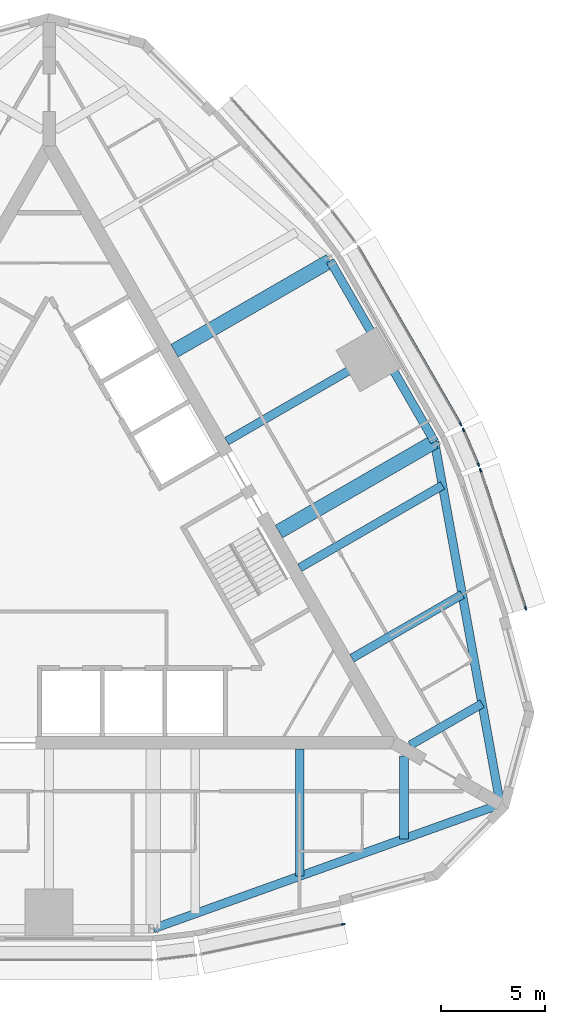
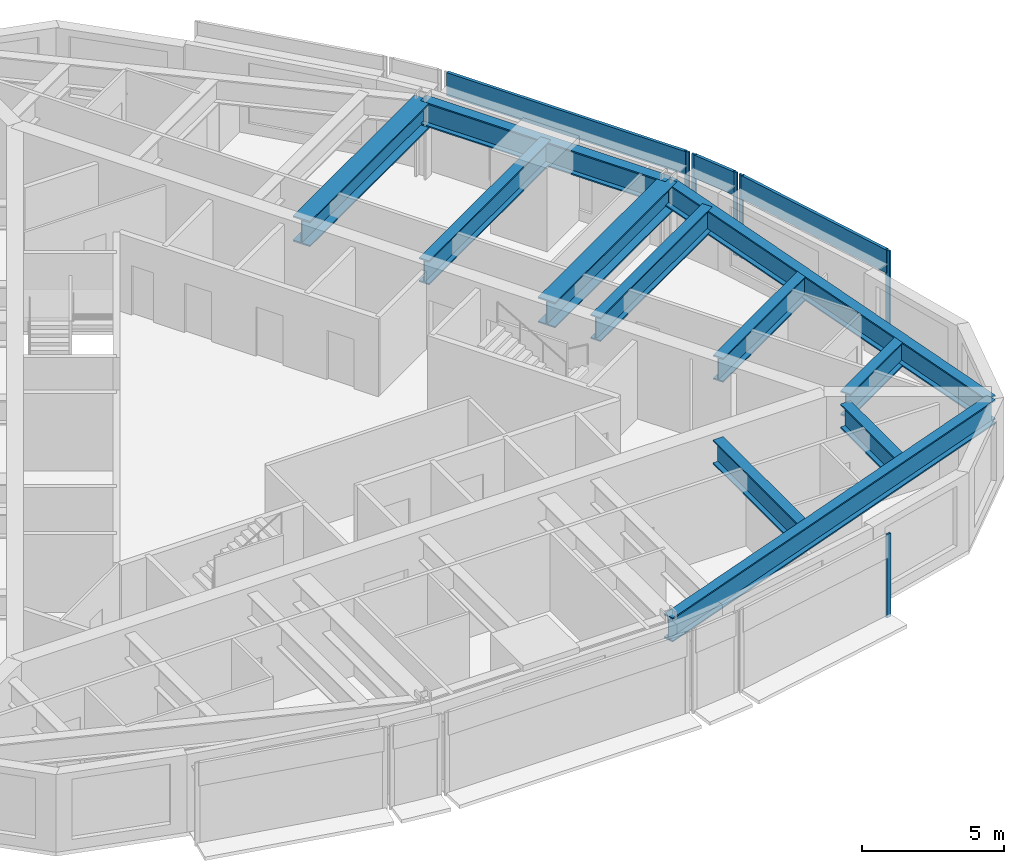
# One storey, part 4 of 12: 11 beams, 9 members, 4 elements without a shape of their own.
"""IFC4 building model written with IfcOpenShell, lengths in metres."""

from ifc_helpers import new_model, si_unit, direction, frame, origin, origin_2d, place, context, subcontext, project, spatial, rectangle, i_section, extrude, material, material_profile, profile_set, type_object, element, aggregate, save


model = new_model("IFC4")

# Units and contexts
model_context = context("Model", 3, precision=1e-05, world=origin(), true_north=direction((0.0, 1.0)))
body_context = subcontext(model_context, "Body", "Model", "MODEL_VIEW")
ifc_project = project(units=[si_unit("LENGTHUNIT", "METRE"), si_unit("AREAUNIT", "SQUARE_METRE"), si_unit("VOLUMEUNIT", "CUBIC_METRE"), si_unit("PLANEANGLEUNIT", "RADIAN"), si_unit("MASSUNIT", "GRAM", prefix="KILO")], contexts=[model_context])

# Site, building, storey
site_placement = place(None, origin())
site = spatial("IfcSite", under=ifc_project, at=site_placement, CompositionType="ELEMENT")
building_placement = place(site_placement, origin())
building = spatial("IfcBuilding", under=site, at=building_placement, Name="Trikona Tower", CompositionType="ELEMENT")
storey_placement = place(building_placement, frame((0.0, 0.0, 271.699951171875)))
storey = spatial("IfcBuildingStorey", under=building, at=storey_placement, Name="L72", CompositionType="ELEMENT", Elevation=271.699951171875)

# Curtain wall, member
ifc_material_1 = material(Name="Aluminium curtain wall system", Category="aluminium")
curtain_wall_type = type_object("IfcCurtainWallType", Name="Curtain wall DS3S", PredefinedType="NOTDEFINED", material=ifc_material_1)
curtain_wall_1_placement = place(storey_placement, origin())
curtain_wall_1 = element("IfcCurtainWall", 1, at=curtain_wall_1_placement, inside=storey, type_object=curtain_wall_type, Name="Curtain wall DS3S L72", PredefinedType="NOTDEFINED")
ifc_material_2 = material(Name="Aluminium mullion, pale anodised", Category="aluminium")
ifc_material_profile_1 = material_profile(ifc_material_2, rectangle(XDim=0.070068359375, YDim=0.179931640625, at=origin_2d()), Name="MUL-DS3S")
ifc_profile_set_1 = profile_set([ifc_material_profile_1], Name="Aluminium mullion, pale anodised")
member_type_1 = type_object("IfcMemberType", Name="Mullion DS3S 70x180", PredefinedType="MULLION", material=ifc_profile_set_1)
member_1_placement = place(storey_placement, frame((14.092041015625, -18.220703125, 0.0), z_axis=(0.0, 0.0, 1.0), x_axis=(-0.205527448396, 0.978651351583, 0.0)))
member_1 = element("IfcMember", 2, at=member_1_placement, type_object=member_type_1, Name="CW-DS3S mullion 2", PredefinedType="MULLION", context=body_context, shape_type="SweptSolid", body=[
    extrude(rectangle(XDim=0.070068359375, YDim=0.179931640625, at=origin_2d()), origin(), (0.0, 0.0, 1.0), 3.60009765625),
])
aggregate(curtain_wall_1, [member_1])

# Curtain wall, members
curtain_wall_2_placement = place(storey_placement, origin())
curtain_wall_2 = element("IfcCurtainWall", 3, at=curtain_wall_2_placement, inside=storey, type_object=curtain_wall_type, Name="Curtain wall DS3S L72", PredefinedType="NOTDEFINED")
member_2_placement = place(storey_placement, frame((22.82568359375, -3.09375, 0.0), z_axis=(0.0, 0.0, 1.0), x_axis=(-0.95029742275, -0.311343553515, 0.0)))
member_2 = element("IfcMember", 4, at=member_2_placement, type_object=member_type_1, Name="CW-DS3S mullion 1", PredefinedType="MULLION", context=body_context, shape_type="SweptSolid", body=[
    extrude(rectangle(XDim=0.070068359375, YDim=0.179931640625, at=origin_2d()), origin(), (0.0, 0.0, 1.0), 3.60009765625),
])
member_3_placement = place(storey_placement, frame((20.657958984375, 3.52294921875, 0.0), z_axis=(0.0, 0.0, 1.0), x_axis=(-0.95029742275, -0.311343553515, 0.0)))
member_3 = element("IfcMember", 5, at=member_3_placement, type_object=member_type_1, Name="CW-DS3S mullion 2", PredefinedType="MULLION", context=body_context, shape_type="SweptSolid", body=[
    extrude(rectangle(XDim=0.070068359375, YDim=0.179931640625, at=origin_2d()), origin(), (0.0, 0.0, 1.0), 3.60009765625),
])

curtain_wall_3_placement = place(storey_placement, origin())
curtain_wall_3 = element("IfcCurtainWall", 6, at=curtain_wall_3_placement, inside=storey, type_object=curtain_wall_type, Name="Curtain wall DS3S L72", PredefinedType="NOTDEFINED")
member_4_placement = place(storey_placement, frame((20.563232421875, 3.7744140625, 0.0), z_axis=(0.0, 0.0, 1.0), x_axis=(-0.919420580163, -0.393275726143, 0.0)))
member_4 = element("IfcMember", 7, at=member_4_placement, type_object=member_type_1, Name="CW-DS3S mullion 1", PredefinedType="MULLION", context=body_context, shape_type="SweptSolid", body=[
    extrude(rectangle(XDim=0.070068359375, YDim=0.179931640625, at=origin_2d()), origin(), (0.0, 0.0, 1.0), 3.60009765625),
])
member_5_placement = place(storey_placement, frame((19.845703125, 5.45166015625, 0.0), z_axis=(0.0, 0.0, 1.0), x_axis=(-0.919420580163, -0.393275726143, 0.0)))
member_5 = element("IfcMember", 8, at=member_5_placement, type_object=member_type_1, Name="CW-DS3S mullion 2", PredefinedType="MULLION", context=body_context, shape_type="SweptSolid", body=[
    extrude(rectangle(XDim=0.070068359375, YDim=0.179931640625, at=origin_2d()), origin(), (0.0, 0.0, 1.0), 3.60009765625),
])

# Curtain wall, member
curtain_wall_4_placement = place(storey_placement, origin())
curtain_wall_4 = element("IfcCurtainWall", 9, at=curtain_wall_4_placement, inside=storey, type_object=curtain_wall_type, Name="Curtain wall DS3S L72", PredefinedType="NOTDEFINED")
member_6_placement = place(storey_placement, frame((19.712890625, 5.717529296875, 0.0), z_axis=(0.0, 0.0, 1.0), x_axis=(-0.866024619633, -0.500001358187, 0.0)))
member_6 = element("IfcMember", 10, at=member_6_placement, type_object=member_type_1, Name="CW-DS3S mullion 1", PredefinedType="MULLION", context=body_context, shape_type="SweptSolid", body=[
    extrude(rectangle(XDim=0.070068359375, YDim=0.179931640625, at=origin_2d()), origin(), (0.0, 0.0, 1.0), 3.60009765625),
])

# Beams
ifc_material_3 = material(Name="Steel ASTM A992 Grade 50", Category="steel")
ifc_material_profile_2 = material_profile(ifc_material_3, i_section(OverallWidth=0.699951171875, OverallDepth=1.10009765625, WebThickness=0.0400390625, FlangeThickness=0.06005859375, at=origin_2d()), Name="PG1100X700")
ifc_profile_set_2 = profile_set([ifc_material_profile_2], Name="Steel ASTM A992 Grade 50")
beam_type_1 = type_object("IfcBeamType", Name="Steel beam PG1100x700 (belt chord radial)", PredefinedType="BEAM", material=ifc_profile_set_2)
for number, where, z_axis, x_axis, name in (
    (11, (11.009765625, 0.5830078125, 2.800048828125), (0.866029182723, 0.49999345463, 0.0), (-0.49999345463, 0.866029182723, 0.0), "Floor beam L73 F2 u-5"),
    (12, (6.009765625, 9.243408203125, 2.800048828125), (0.866029182723, 0.49999345463, 0.0), (-0.49999345463, 0.866029182723, 0.0), "Floor beam L73 F2 u5"),
):
    element("IfcBeam", number, at=place(storey_placement, frame(where, z_axis=z_axis, x_axis=x_axis)), inside=storey, type_object=beam_type_1, Name=name, PredefinedType="BEAM", context=body_context, shape_type="SweptSolid", body=[
        extrude(i_section(OverallWidth=0.699951171875, OverallDepth=1.10009765625, WebThickness=0.0400390625, FlangeThickness=0.06005859375, at=origin_2d()), origin(), (0.0, 0.0, 1.0), 8.60400390625),
    ])
ifc_material_4 = material(Name="Steel ASTM A992 Grade 50", Category="steel")
ifc_material_profile_3 = material_profile(ifc_material_4, i_section(OverallWidth=0.408935546875, OverallDepth=1.04150390625, WebThickness=0.031005859375, FlangeThickness=0.055908203125, at=origin_2d()), Name="W40X397")
ifc_profile_set_3 = profile_set([ifc_material_profile_3], Name="Steel ASTM A992 Grade 50")
beam_type_2 = type_object("IfcBeamType", Name="Steel beam W40x397 (plant spandrel)", PredefinedType="SPANDREL", material=ifc_profile_set_3)
for number, where, z_axis, x_axis, name in (
    (13, (5.0, -18.430419921875, 2.829345703125), (0.941358144832, 0.337409014637, 0.0), (-0.337409014637, 0.941358144832, 0.0), "Spandrel beam L73 F1-3"),
    (14, (21.6103515625, -12.476806640625, 2.829345703125), (-0.178472662054, 0.983944870864, 0.0), (-0.983944870864, -0.178472662054, 0.0), "Spandrel beam L73 F2-1"),
):
    element("IfcBeam", number, at=place(storey_placement, frame(where, z_axis=z_axis, x_axis=x_axis)), inside=storey, type_object=beam_type_2, Name=name, PredefinedType="SPANDREL", context=body_context, shape_type="SweptSolid", body=[
        extrude(i_section(OverallWidth=0.408935546875, OverallDepth=1.04150390625, WebThickness=0.031005859375, FlangeThickness=0.055908203125, at=origin_2d()), origin(), (0.0, 0.0, 1.0), 17.64501953125),
    ])
beam_1_placement = place(storey_placement, frame((18.461181640625, 4.885009765625, 2.829345703125), z_axis=(-0.499993662806, 0.866029062534, 0.0), x_axis=(-0.866029062534, -0.499993662806, 0.0)))
element("IfcBeam", 15, at=beam_1_placement, inside=storey, type_object=beam_type_2, Name="Spandrel beam L73 F2-2", PredefinedType="SPANDREL", context=body_context, shape_type="SweptSolid", body=[
    extrude(i_section(OverallWidth=0.408935546875, OverallDepth=1.04150390625, WebThickness=0.031005859375, FlangeThickness=0.055908203125, at=origin_2d()), origin(), (0.0, 0.0, 1.0), 10.000244140625),
])
ifc_material_5 = material(Name="Steel ASTM A992 Grade 50", Category="steel")
ifc_material_profile_4 = material_profile(ifc_material_5, i_section(OverallWidth=0.408935546875, OverallDepth=1.04150390625, WebThickness=0.031005859375, FlangeThickness=0.055908203125, at=origin_2d()), Name="W40X397")
ifc_profile_set_4 = profile_set([ifc_material_profile_4], Name="Steel ASTM A992 Grade 50")
beam_type_3 = type_object("IfcBeamType", Name="Steel beam W40x397 (plant)", PredefinedType="BEAM", material=ifc_profile_set_4)
beam_2_placement = place(storey_placement, frame((12.009765625, -1.14892578125, 2.829345703125), z_axis=(0.866034560358, 0.499984140014, 0.0), x_axis=(-0.499984140014, 0.866034560358, 0.0)))
element("IfcBeam", 16, at=beam_2_placement, inside=storey, type_object=beam_type_3, Name="Floor beam L73 F2 u-7", PredefinedType="BEAM", context=body_context, shape_type="SweptSolid", body=[
    extrude(i_section(OverallWidth=0.408935546875, OverallDepth=1.04150390625, WebThickness=0.031005859375, FlangeThickness=0.055908203125, at=origin_2d()), origin(), (0.0, 0.0, 1.0), 7.887451171875),
])
beam_3_placement = place(storey_placement, frame((8.509765625, 4.9130859375, 2.829345703125), z_axis=(0.866016896067, 0.50001473551, 0.0), x_axis=(-0.50001473551, 0.866016896067, 0.0)))
element("IfcBeam", 17, at=beam_3_placement, inside=storey, type_object=beam_type_3, Name="Floor beam L73 F2 u0", PredefinedType="BEAM", context=body_context, shape_type="SweptSolid", body=[
    extrude(i_section(OverallWidth=0.408935546875, OverallDepth=1.04150390625, WebThickness=0.031005859375, FlangeThickness=0.055908203125, at=origin_2d()), origin(), (0.0, 0.0, 1.0), 8.604248046875),
])
ifc_material_6 = material(Name="Steel ASTM A992 Grade 50", Category="steel")
ifc_material_profile_5 = material_profile(ifc_material_6, i_section(OverallWidth=0.411376953125, OverallDepth=1.049072265625, WebThickness=0.033935546875, FlangeThickness=0.06005859375, at=origin_2d()), Name="W40X431")
ifc_profile_set_5 = profile_set([ifc_material_profile_5], Name="Steel ASTM A992 Grade 50")
beam_type_4 = type_object("IfcBeamType", Name="Steel beam W40x431 (plant wedge)", PredefinedType="BEAM", material=ifc_profile_set_5)
beam_4_placement = place(storey_placement, frame((12.0, -9.826416015625, 2.825439453125), z_axis=(0.0, -1.0, 0.0), x_axis=(1.0, 0.0, 0.0)))
element("IfcBeam", 18, at=beam_4_placement, inside=storey, type_object=beam_type_4, Name="Floor beam L73 F1 u12", PredefinedType="BEAM", context=body_context, shape_type="SweptSolid", body=[
    extrude(i_section(OverallWidth=0.411376953125, OverallDepth=1.049072265625, WebThickness=0.033935546875, FlangeThickness=0.06005859375, at=origin_2d()), origin(), (0.0, 0.0, 1.0), 6.094970703125),
])
for number, where, z_axis, x_axis, name in (
    (19, (17.0, -10.161376953125, 2.825439453125), (0.0, -1.0, 0.0), (1.0, 0.0, 0.0), "Floor beam L73 F1 u17"),
    (20, (17.300048828125, -9.6416015625, 2.825439453125), (0.866030866614, 0.499990537983, 0.0), (-0.499990537983, 0.866030866614, 0.0), "Floor beam L73 F2 u-17"),
):
    element("IfcBeam", number, at=place(storey_placement, frame(where, z_axis=z_axis, x_axis=x_axis)), inside=storey, type_object=beam_type_4, Name=name, PredefinedType="BEAM", context=body_context, shape_type="SweptSolid", body=[
        extrude(i_section(OverallWidth=0.411376953125, OverallDepth=1.049072265625, WebThickness=0.033935546875, FlangeThickness=0.06005859375, at=origin_2d()), origin(), (0.0, 0.0, 1.0), 3.9677734375),
    ])
beam_5_placement = place(storey_placement, frame((14.509765625, -5.479248046875, 2.825439453125), z_axis=(0.866023498866, 0.500003299401, 0.0), x_axis=(-0.500003299401, 0.866023498866, 0.0)))
element("IfcBeam", 21, at=beam_5_placement, inside=storey, type_object=beam_type_4, Name="Floor beam L73 F2 u-12", PredefinedType="BEAM", context=body_context, shape_type="SweptSolid", body=[
    extrude(i_section(OverallWidth=0.411376953125, OverallDepth=1.049072265625, WebThickness=0.033935546875, FlangeThickness=0.06005859375, at=origin_2d()), origin(), (0.0, 0.0, 1.0), 6.09521484375),
])

# Member
ifc_material_7 = material(Name="Aluminium transom, pale anodised", Category="aluminium")
ifc_material_profile_6 = material_profile(ifc_material_7, rectangle(XDim=0.1201171875, YDim=1.0, at=origin_2d()), Name="TRN-DS3S")
ifc_profile_set_6 = profile_set([ifc_material_profile_6], Name="Aluminium transom, pale anodised")
member_type_2 = type_object("IfcMemberType", Name="Transom DS3S 1000x120", PredefinedType="USERDEFINED", material=ifc_profile_set_6)
member_7_placement = place(storey_placement, frame((22.814697265625, -3.060302734375, 3.10009765625), z_axis=(-0.311346184, 0.950296560926, 0.0), x_axis=(-0.950296560926, -0.311346184, 0.0)))
member_7 = element("IfcMember", 22, at=member_7_placement, type_object=member_type_2, Name="CW-DS3S transom 1.1", ObjectType="TRANSOM", PredefinedType="USERDEFINED", context=body_context, shape_type="SweptSolid", body=[
    extrude(rectangle(XDim=0.1201171875, YDim=1.0, at=origin_2d()), origin(), (0.0, 0.0, 1.0), 6.892578125),
])

aggregate(curtain_wall_2, [member_2, member_3, member_7])

member_8_placement = place(storey_placement, frame((20.549560546875, 3.806640625, 3.10009765625), z_axis=(-0.393314512783, 0.919403988481, 0.0), x_axis=(-0.919403988481, -0.393314512783, 0.0)))
member_8 = element("IfcMember", 23, at=member_8_placement, type_object=member_type_2, Name="CW-DS3S transom 1.1", ObjectType="TRANSOM", PredefinedType="USERDEFINED", context=body_context, shape_type="SweptSolid", body=[
    extrude(rectangle(XDim=0.1201171875, YDim=1.0, at=origin_2d()), origin(), (0.0, 0.0, 1.0), 1.754150390625),
])

aggregate(curtain_wall_3, [member_4, member_5, member_8])

member_9_placement = place(storey_placement, frame((19.6953125, 5.747802734375, 3.10009765625), z_axis=(-0.500010305712, 0.866019453697, 0.0), x_axis=(-0.866019453697, -0.500010305712, 0.0)))
member_9 = element("IfcMember", 24, at=member_9_placement, type_object=member_type_2, Name="CW-DS3S transom 1.1", ObjectType="TRANSOM", PredefinedType="USERDEFINED", context=body_context, shape_type="SweptSolid", body=[
    extrude(rectangle(XDim=0.1201171875, YDim=1.0, at=origin_2d()), origin(), (0.0, 0.0, 1.0), 9.739990234375),
])

aggregate(curtain_wall_4, [member_6, member_9])

save(model, "model.ifc")
